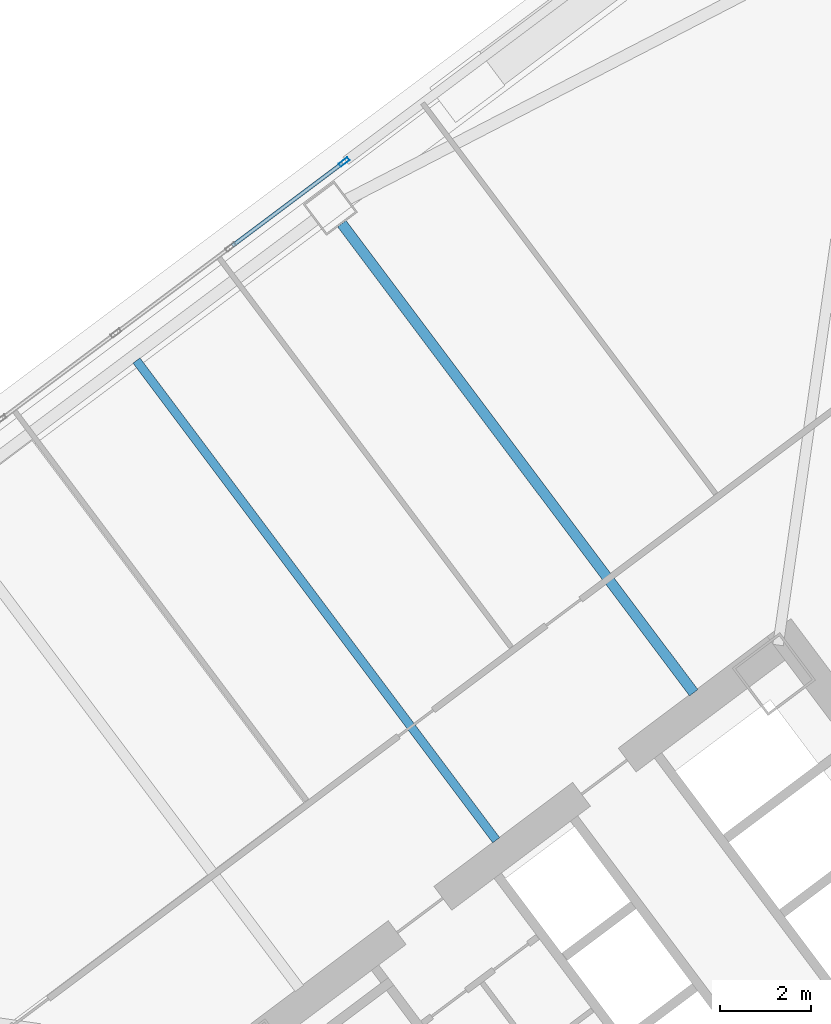
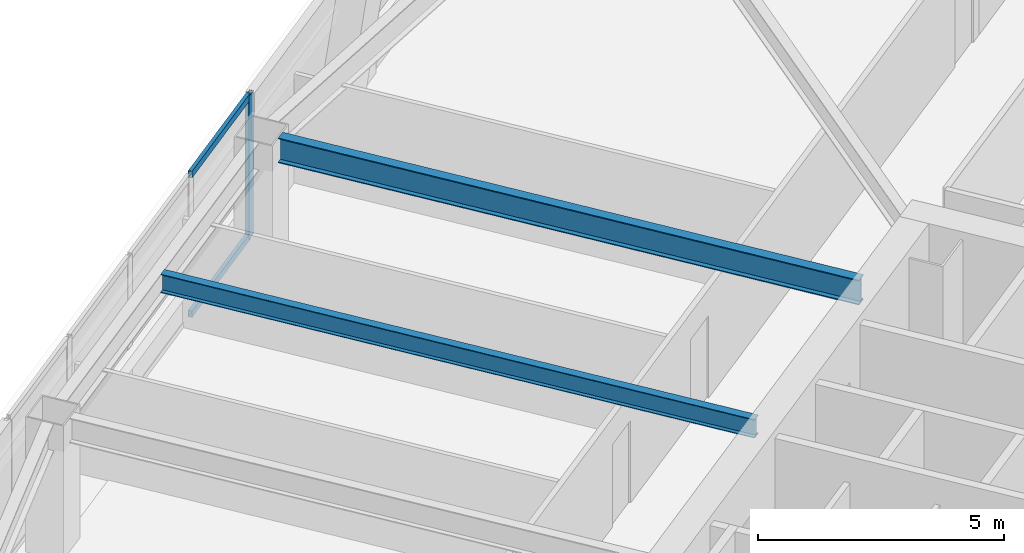
# One storey, part 54 of 75: 3 members, 2 beams, 1 element without a shape of its own.
"""IFC4 building model written with IfcOpenShell, lengths in metres."""

from ifc_helpers import new_model, si_unit, direction, frame, origin, origin_2d, place, context, subcontext, project, spatial, hollow_rectangle, i_section, extrude, material, material_profile, profile_set, type_object, element, aggregate, save


model = new_model("IFC4")

# Units and contexts
model_context = context("Model", 3, precision=1e-05, world=origin(), true_north=direction((0.0, 1.0)))
body_context = subcontext(model_context, "Body", "Model", "MODEL_VIEW")
ifc_project = project(units=[si_unit("LENGTHUNIT", "METRE"), si_unit("AREAUNIT", "SQUARE_METRE"), si_unit("VOLUMEUNIT", "CUBIC_METRE"), si_unit("PLANEANGLEUNIT", "RADIAN"), si_unit("MASSUNIT", "GRAM", prefix="KILO")], contexts=[model_context])

# Site, building, storey
site_placement = place(None, origin())
site = spatial("IfcSite", under=ifc_project, at=site_placement, CompositionType="ELEMENT")
building_placement = place(site_placement, origin())
building = spatial("IfcBuilding", under=site, at=building_placement, Name="Tashvorn Skyway Center", CompositionType="ELEMENT")
storey_placement = place(building_placement, frame((0.0, 0.0, 45.89990234375)))
storey = spatial("IfcBuildingStorey", under=building, at=storey_placement, Name="L11", CompositionType="ELEMENT", Elevation=45.89990234375)

# Beams
ifc_material_1 = material(Name="Steel ASTM A992 Grade 50", Category="steel")
ifc_material_profile_1 = material_profile(ifc_material_1, i_section(OverallWidth=0.22998046875, OverallDepth=0.616943359375, WebThickness=0.01318359375, FlangeThickness=0.022216796875, at=origin_2d()), Name="W24X94")
ifc_profile_set_1 = profile_set([ifc_material_profile_1], Name="Steel ASTM A992 Grade 50")
beam_type_1 = type_object("IfcBeamType", Name="BM-BEAM-W24X94", PredefinedType="BEAM", material=ifc_profile_set_1)
beam_1_placement = place(storey_placement, frame((105.94189453125, 51.743896484375, 3.04150390625), z_axis=(0.600018239213, -0.799986320265, 0.0), x_axis=(0.799986320265, 0.600018239213, 0.0)))
element("IfcBeam", 1, at=beam_1_placement, inside=storey, type_object=beam_type_1, Name="Tower 2 L11 Primary Floor Girder FC-N1", PredefinedType="BEAM", context=body_context, shape_type="SweptSolid", body=[
    extrude(i_section(OverallWidth=0.22998046875, OverallDepth=0.616943359375, WebThickness=0.01318359375, FlangeThickness=0.022216796875, at=origin_2d()), origin(), (0.0, 0.0, 1.0), 12.849853515625),
])
ifc_material_profile_2 = material_profile(ifc_material_1, i_section(OverallWidth=0.19091796875, OverallDepth=0.4599609375, WebThickness=0.010009765625, FlangeThickness=0.01611328125, at=origin_2d()), Name="W18X55")
ifc_profile_set_2 = profile_set([ifc_material_profile_2], Name="Steel ASTM A992 Grade 50")
beam_type_2 = type_object("IfcBeamType", Name="BM-JOIST-W18X55", PredefinedType="JOIST", material=ifc_profile_set_2)
beam_2_placement = place(storey_placement, frame((109.325927734375, 38.23193359375, 3.1201171875), z_axis=(-0.600002972791, 0.799997770398, 0.0), x_axis=(-0.799997770398, -0.600002972791, 0.0)))
element("IfcBeam", 2, at=beam_2_placement, inside=storey, type_object=beam_type_2, Name="Tower 2 L11 Secondary Composite Joist JN", PredefinedType="JOIST", context=body_context, shape_type="SweptSolid", body=[
    extrude(i_section(OverallWidth=0.19091796875, OverallDepth=0.4599609375, WebThickness=0.010009765625, FlangeThickness=0.01611328125, at=origin_2d()), origin(), (0.0, 0.0, 1.0), 13.139892578125),
])

# Curtain wall, members
ifc_material_2 = material(Name="Thermally broken bronze-anodized aluminium 6063-T6", Category="aluminium")
curtain_wall_type = type_object("IfcCurtainWallType", Name="CW-CW-Z1", PredefinedType="NOTDEFINED", material=ifc_material_2)
curtain_wall_placement = place(storey_placement, origin())
curtain_wall = element("IfcCurtainWall", 3, at=curtain_wall_placement, inside=storey, type_object=curtain_wall_type, Name="Tower 2 L11 North Unitised Curtain Wall Glazing Group 2", PredefinedType="NOTDEFINED")
ifc_material_profile_3 = material_profile(ifc_material_2, hollow_rectangle(XDim=0.0849609375, YDim=0.239990234375, WallThickness=0.0048828125, at=origin_2d()), Name="ALU-MULL-85x240")
ifc_profile_set_3 = profile_set([ifc_material_profile_3], Name="Thermally broken bronze-anodized aluminium 6063-T6")
member_type_1 = type_object("IfcMemberType", Name="CWM-CW-Z1", PredefinedType="MULLION", material=ifc_profile_set_3)
member_1_placement = place(storey_placement, frame((105.99267578125, 53.094482421875, 0.0), z_axis=(0.0, 0.0, 1.0), x_axis=(-0.599997457641, 0.800001906763, 0.0)))
member_1 = element("IfcMember", 4, at=member_1_placement, type_object=member_type_1, Name="CW-Z1 mullion 5", PredefinedType="MULLION", context=body_context, shape_type="SweptSolid", body=[
    extrude(hollow_rectangle(XDim=0.0849609375, YDim=0.239990234375, WallThickness=0.0048828125, at=origin_2d()), origin(), (0.0, 0.0, 1.0), 3.550048828125),
])
ifc_material_profile_4 = material_profile(ifc_material_2, hollow_rectangle(XDim=0.0849609375, YDim=0.1650390625, WallThickness=0.0048828125, at=origin_2d()), Name="ALU-TRAN-85x165")
ifc_profile_set_4 = profile_set([ifc_material_profile_4], Name="Thermally broken bronze-anodized aluminium 6063-T6")
member_type_2 = type_object("IfcMemberType", Name="CWT-CW-Z1", PredefinedType="USERDEFINED", material=ifc_profile_set_4)
member_2_placement = place(storey_placement, frame((103.54345703125, 51.257568359375, 0.04248046875), z_axis=(0.799990296182, 0.600012938206, 0.0), x_axis=(-0.600012938206, 0.799990296182, 0.0)))
member_2 = element("IfcMember", 5, at=member_2_placement, type_object=member_type_2, Name="CW-Z1 transom 4.1", ObjectType="TRANSOM", PredefinedType="USERDEFINED", context=body_context, shape_type="SweptSolid", body=[
    extrude(hollow_rectangle(XDim=0.0849609375, YDim=0.1650390625, WallThickness=0.0048828125, at=origin_2d()), origin(), (0.0, 0.0, 1.0), 3.01904296875),
])
member_3_placement = place(storey_placement, frame((103.54345703125, 51.257568359375, 3.507568359375), z_axis=(0.799990296182, 0.600012938206, 0.0), x_axis=(-0.600012938206, 0.799990296182, 0.0)))
member_3 = element("IfcMember", 6, at=member_3_placement, type_object=member_type_2, Name="CW-Z1 transom 4.2", ObjectType="TRANSOM", PredefinedType="USERDEFINED", context=body_context, shape_type="SweptSolid", body=[
    extrude(hollow_rectangle(XDim=0.0849609375, YDim=0.1650390625, WallThickness=0.0048828125, at=origin_2d()), origin(), (0.0, 0.0, 1.0), 3.01904296875),
])
aggregate(curtain_wall, [member_1, member_2, member_3])

save(model, "model.ifc")
